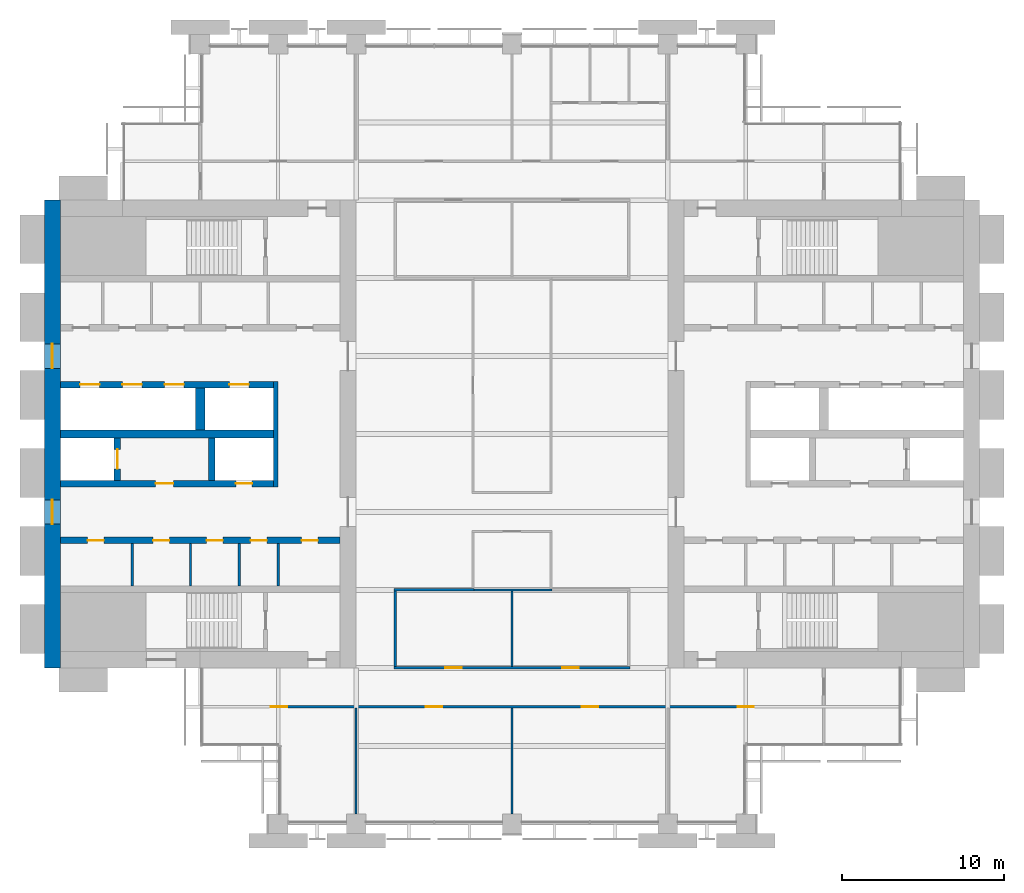
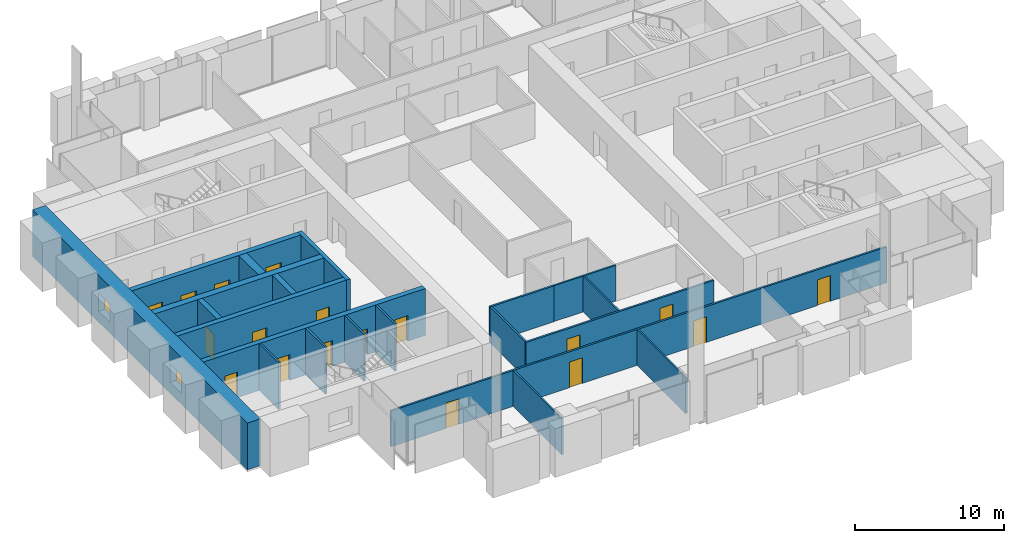
# One storey, part 9 of 14: 21 walls, 18 doors, 2 windows, 20 openings.
"""IFC4 building model written with IfcOpenShell, lengths in metres."""

from ifc_helpers import new_model, si_unit, direction, frame, frame_2d, origin, place, context, subcontext, project, spatial, rectangle, extrude, material, layer, layer_set, type_object, element, fill, save


model = new_model("IFC4")

# Units and contexts
model_context = context("Model", 3, precision=1e-05, world=origin(), true_north=direction((0.0, 1.0)))
body_context = subcontext(model_context, "Body", "Model", "MODEL_VIEW")
ifc_project = project(units=[si_unit("LENGTHUNIT", "METRE"), si_unit("AREAUNIT", "SQUARE_METRE"), si_unit("VOLUMEUNIT", "CUBIC_METRE"), si_unit("PLANEANGLEUNIT", "RADIAN"), si_unit("MASSUNIT", "GRAM", prefix="KILO")], contexts=[model_context])

# Site, building, storey
site_placement = place(None, origin())
site = spatial("IfcSite", under=ifc_project, at=site_placement, CompositionType="ELEMENT")
building_placement = place(site_placement, origin())
building = spatial("IfcBuilding", under=site, at=building_placement, Name="Baori Bourse Tower", CompositionType="ELEMENT")
storey_placement = place(building_placement, frame((0.0, 0.0, 108.10009765625)))
storey = spatial("IfcBuildingStorey", under=building, at=storey_placement, Name="L22", CompositionType="ELEMENT", Elevation=108.10009765625)

# Walls
ifc_material_1 = material(Name="Blockwork partition", Category="masonry")
ifc_layer_1 = layer(ifc_material_1, 0.14990234375)
ifc_layer_set_1 = layer_set([ifc_layer_1], Name="Core partition 150")
wall_type_1 = type_object("IfcWallType", Name="Core partition 150", PredefinedType="PARTITIONING", material=ifc_layer_set_1)
for number, where, z_axis, x_axis, name in (
    (1, (5.39990234375, 14.64990234375, 0.0), (0.0, 0.0, 1.0), (0.0, 1.0, 0.0), "Partition wall W10"),
    (2, (9.0, 14.64990234375, 0.0), (0.0, 0.0, 1.0), (0.0, 1.0, 0.0), "Partition wall W11"),
    (3, (12.0, 14.64990234375, 0.0), (0.0, 0.0, 1.0), (0.0, 1.0, 0.0), "Partition wall W12"),
    (4, (14.39990234375, 14.64990234375, 0.0), (0.0, 0.0, 1.0), (0.0, 1.0, 0.0), "Partition wall W13"),
):
    element("IfcWall", number, at=place(storey_placement, frame(where, z_axis=z_axis, x_axis=x_axis)), inside=storey, type_object=wall_type_1, Name=name, PredefinedType="PARTITIONING", context=body_context, shape_type="SweptSolid", body=[
        extrude(rectangle(XDim=2.60009765625, YDim=0.14990234375, at=frame_2d((1.300048828125, 0.0))), origin(), (0.0, 0.0, 1.0), 3.83984375),
    ])

# Wall, openings, windows
ifc_material_2 = material(Name="Concrete f'c 60 MPa", Category="concrete")
ifc_layer_2 = layer(ifc_material_2, 1.0)
ifc_layer_set_2 = layer_set([ifc_layer_2], Name="Core wall 1000 f'c 60")
wall_type_2 = type_object("IfcWallType", Name="Core wall 1000 f'c 60", PredefinedType="SHEAR", material=ifc_layer_set_2)
wall_1_placement = place(storey_placement, frame((0.5, 9.60009765625, 0.0), z_axis=(0.0, 0.0, 1.0), x_axis=(0.0, 1.0, 0.0)))
wall_1 = element("IfcWall", 5, at=wall_1_placement, inside=storey, type_object=wall_type_2, Name="Core wall W01", PredefinedType="SHEAR", context=body_context, shape_type="SweptSolid", body=[
    extrude(rectangle(XDim=28.7998046875, YDim=1.0, at=frame_2d((14.39990234375, 0.0))), origin(), (0.0, 0.0, 1.0), 3.83984375),
])
opening_1_placement = place(wall_1_placement, frame((8.85009765625, 0.0, 0.89990234375)))
opening_1 = element("IfcOpeningElement", 6, at=opening_1_placement, cuts=wall_1, Name="Opening L22-KW101", PredefinedType="OPENING", context=body_context, shape_type="SweptSolid", body=[
    extrude(rectangle(XDim=1.5, YDim=1.5, at=frame_2d((0.75, 0.75))), frame((0.0, 0.510009765625, 0.0), z_axis=(0.0, -1.0, 0.0), x_axis=(1.0, 0.0, 0.0)), (0.0, 0.0, 1.0), 1.02001953125),
])
opening_2_placement = place(wall_1_placement, frame((18.449951171875, 0.0, 0.89990234375)))
opening_2 = element("IfcOpeningElement", 7, at=opening_2_placement, cuts=wall_1, Name="Opening L22-KW102", PredefinedType="OPENING", context=body_context, shape_type="SweptSolid", body=[
    extrude(rectangle(XDim=1.5, YDim=1.5, at=frame_2d((0.75, 0.75))), frame((0.0, 0.510009765625, 0.0), z_axis=(0.0, -1.0, 0.0), x_axis=(1.0, 0.0, 0.0)), (0.0, 0.0, 1.0), 1.02001953125),
])
ifc_material_3 = material(Name="Pale anodised aluminium", Category="aluminium")
window_type = type_object("IfcWindowType", Name="Lobby window 1500 x 1500", PartitioningType="SINGLE_PANEL", PredefinedType="WINDOW", material=ifc_material_3)
window_1_placement = place(opening_1_placement, origin())
window_1 = element("IfcWindow", 8, at=window_1_placement, inside=storey, type_object=window_type, Name="Outer wall window W L22 1", OverallHeight=1.5, OverallWidth=1.5, PartitioningType="SINGLE_PANEL", PredefinedType="WINDOW", context=body_context, shape_type="SweptSolid", body=[
    extrude(rectangle(XDim=1.5, YDim=1.5, at=frame_2d((0.75, 0.75))), frame((0.0, 0.030029296875, 0.0), z_axis=(0.0, -1.0, 0.0), x_axis=(1.0, 0.0, 0.0)), (0.0, 0.0, 1.0), 0.06005859375),
])
fill(opening_1, window_1)
window_2_placement = place(opening_2_placement, origin())
window_2 = element("IfcWindow", 9, at=window_2_placement, inside=storey, type_object=window_type, Name="Outer wall window W L22 2", OverallHeight=1.5, OverallWidth=1.5, PartitioningType="SINGLE_PANEL", PredefinedType="WINDOW", context=body_context, shape_type="SweptSolid", body=[
    extrude(rectangle(XDim=1.5, YDim=1.5, at=frame_2d((0.75, 0.75))), frame((0.0, 0.030029296875, 0.0), z_axis=(0.0, -1.0, 0.0), x_axis=(1.0, 0.0, 0.0)), (0.0, 0.0, 1.0), 0.06005859375),
])
fill(opening_2, window_2)

# Wall, openings, doors
ifc_material_4 = material(Name="Gypsum board partition")
ifc_layer_3 = layer(ifc_material_4, 0.14990234375)
ifc_layer_set_3 = layer_set([ifc_layer_3], Name="Corridor partition 150")
wall_type_3 = type_object("IfcWallType", Name="Corridor partition 150", PredefinedType="PARTITIONING", material=ifc_layer_set_3)
wall_2_placement = place(storey_placement, frame((9.699951171875, 7.199951171875, 0.0), z_axis=(0.0, 0.0, 1.0), x_axis=(1.0, 0.0, 0.0)))
wall_2 = element("IfcWall", 10, at=wall_2_placement, inside=storey, type_object=wall_type_3, Name="Partition", PredefinedType="PARTITIONING", context=body_context, shape_type="SweptSolid", body=[
    extrude(rectangle(XDim=38.375, YDim=0.14990234375, at=frame_2d((19.1875, 0.0))), origin(), (0.0, 0.0, 1.0), 2.935546875),
])
opening_3_placement = place(wall_2_placement, frame((4.25, 0.0, 0.0)))
opening_3 = element("IfcOpeningElement", 11, at=opening_3_placement, cuts=wall_2, Name="Opening L22-D01", PredefinedType="OPENING", context=body_context, shape_type="SweptSolid", body=[
    extrude(rectangle(XDim=1.0, YDim=2.10009765625, at=frame_2d((0.5, 1.050048828125))), frame((0.0, 0.0849609375, 0.0), z_axis=(0.0, -1.0, 0.0), x_axis=(1.0, 0.0, 0.0)), (0.0, 0.0, 1.0), 0.169921875),
])
opening_4_placement = place(wall_2_placement, frame((13.800048828125, 0.0, 0.0)))
opening_4 = element("IfcOpeningElement", 12, at=opening_4_placement, cuts=wall_2, Name="Opening L22-D02", PredefinedType="OPENING", context=body_context, shape_type="SweptSolid", body=[
    extrude(rectangle(XDim=1.0, YDim=2.10009765625, at=frame_2d((0.5, 1.050048828125))), frame((0.0, 0.0849609375, 0.0), z_axis=(0.0, -1.0, 0.0), x_axis=(1.0, 0.0, 0.0)), (0.0, 0.0, 1.0), 0.169921875),
])
opening_5_placement = place(wall_2_placement, frame((23.39990234375, 0.0, 0.0)))
opening_5 = element("IfcOpeningElement", 13, at=opening_5_placement, cuts=wall_2, Name="Opening L22-D03", PredefinedType="OPENING", context=body_context, shape_type="SweptSolid", body=[
    extrude(rectangle(XDim=1.0, YDim=2.10009765625, at=frame_2d((0.5, 1.050048828125))), frame((0.0, 0.0849609375, 0.0), z_axis=(0.0, -1.0, 0.0), x_axis=(1.0, 0.0, 0.0)), (0.0, 0.0, 1.0), 0.169921875),
])
opening_6_placement = place(wall_2_placement, frame((33.0, 0.0, 0.0)))
opening_6 = element("IfcOpeningElement", 14, at=opening_6_placement, cuts=wall_2, Name="Opening L22-D04", PredefinedType="OPENING", context=body_context, shape_type="SweptSolid", body=[
    extrude(rectangle(XDim=1.0, YDim=2.10009765625, at=frame_2d((0.5, 1.050048828125))), frame((0.0, 0.0849609375, 0.0), z_axis=(0.0, -1.0, 0.0), x_axis=(1.0, 0.0, 0.0)), (0.0, 0.0, 1.0), 0.169921875),
])
ifc_material_5 = material(Name="Timber door leaf", Category="wood")
door_type_1 = type_object("IfcDoorType", Name="Door 1000 x 2100", OperationType="SINGLE_SWING_LEFT", PredefinedType="DOOR", material=ifc_material_5)
door_1_placement = place(opening_3_placement, origin())
door_1 = element("IfcDoor", 15, at=door_1_placement, inside=storey, type_object=door_type_1, Name="Door", OperationType="SINGLE_SWING_LEFT", OverallHeight=2.10009765625, OverallWidth=1.0, PredefinedType="DOOR", context=body_context, shape_type="SweptSolid", body=[
    extrude(rectangle(XDim=1.0, YDim=2.10009765625, at=frame_2d((0.5, 1.050048828125))), frame((0.0, 0.02490234375, 0.0), z_axis=(0.0, -1.0, 0.0), x_axis=(1.0, 0.0, 0.0)), (0.0, 0.0, 1.0), 0.050048828125),
])
fill(opening_3, door_1)
door_2_placement = place(opening_4_placement, origin())
door_2 = element("IfcDoor", 16, at=door_2_placement, inside=storey, type_object=door_type_1, Name="Door", OperationType="SINGLE_SWING_LEFT", OverallHeight=2.10009765625, OverallWidth=1.0, PredefinedType="DOOR", context=body_context, shape_type="SweptSolid", body=[
    extrude(rectangle(XDim=1.0, YDim=2.10009765625, at=frame_2d((0.5, 1.050048828125))), frame((0.0, 0.02490234375, 0.0), z_axis=(0.0, -1.0, 0.0), x_axis=(1.0, 0.0, 0.0)), (0.0, 0.0, 1.0), 0.050048828125),
])
fill(opening_4, door_2)
door_3_placement = place(opening_5_placement, origin())
door_3 = element("IfcDoor", 17, at=door_3_placement, inside=storey, type_object=door_type_1, Name="Door", OperationType="SINGLE_SWING_RIGHT", OverallHeight=2.10009765625, OverallWidth=1.0, PredefinedType="DOOR", context=body_context, shape_type="SweptSolid", body=[
    extrude(rectangle(XDim=1.0, YDim=2.10009765625, at=frame_2d((0.5, 1.050048828125))), frame((0.0, 0.02490234375, 0.0), z_axis=(0.0, -1.0, 0.0), x_axis=(1.0, 0.0, 0.0)), (0.0, 0.0, 1.0), 0.050048828125),
])
fill(opening_5, door_3)
door_4_placement = place(opening_6_placement, origin())
door_4 = element("IfcDoor", 18, at=door_4_placement, inside=storey, type_object=door_type_1, Name="Door", OperationType="SINGLE_SWING_RIGHT", OverallHeight=2.10009765625, OverallWidth=1.0, PredefinedType="DOOR", context=body_context, shape_type="SweptSolid", body=[
    extrude(rectangle(XDim=1.0, YDim=2.10009765625, at=frame_2d((0.5, 1.050048828125))), frame((0.0, 0.02490234375, 0.0), z_axis=(0.0, -1.0, 0.0), x_axis=(1.0, 0.0, 0.0)), (0.0, 0.0, 1.0), 0.050048828125),
])
fill(opening_6, door_4)

wall_3_placement = place(storey_placement, frame((21.52490234375, 9.60009765625, 0.0), z_axis=(0.0, 0.0, 1.0), x_axis=(1.0, 0.0, 0.0)))
wall_3 = element("IfcWall", 19, at=wall_3_placement, inside=storey, type_object=wall_type_3, Name="Partition", PredefinedType="PARTITIONING", context=body_context, shape_type="SweptSolid", body=[
    extrude(rectangle(XDim=14.550048828125, YDim=0.14990234375, at=frame_2d((7.27490234375, 0.0))), origin(), (0.0, 0.0, 1.0), 2.935546875),
])
opening_7_placement = place(wall_3_placement, frame((3.175048828125, 0.0, 0.0)))
opening_7 = element("IfcOpeningElement", 20, at=opening_7_placement, cuts=wall_3, Name="Opening L22-D05", PredefinedType="OPENING", context=body_context, shape_type="SweptSolid", body=[
    extrude(rectangle(XDim=1.0, YDim=2.10009765625, at=frame_2d((0.5, 1.050048828125))), frame((0.0, 0.0849609375, 0.0), z_axis=(0.0, -1.0, 0.0), x_axis=(1.0, 0.0, 0.0)), (0.0, 0.0, 1.0), 0.169921875),
])
opening_8_placement = place(wall_3_placement, frame((10.375, 0.0, 0.0)))
opening_8 = element("IfcOpeningElement", 21, at=opening_8_placement, cuts=wall_3, Name="Opening L22-D06", PredefinedType="OPENING", context=body_context, shape_type="SweptSolid", body=[
    extrude(rectangle(XDim=1.0, YDim=2.10009765625, at=frame_2d((0.5, 1.050048828125))), frame((0.0, 0.0849609375, 0.0), z_axis=(0.0, -1.0, 0.0), x_axis=(1.0, 0.0, 0.0)), (0.0, 0.0, 1.0), 0.169921875),
])
door_5_placement = place(opening_7_placement, origin())
door_5 = element("IfcDoor", 22, at=door_5_placement, inside=storey, type_object=door_type_1, Name="Door", OperationType="SINGLE_SWING_RIGHT", OverallHeight=2.10009765625, OverallWidth=1.0, PredefinedType="DOOR", context=body_context, shape_type="SweptSolid", body=[
    extrude(rectangle(XDim=1.0, YDim=2.10009765625, at=frame_2d((0.5, 1.050048828125))), frame((0.0, 0.02490234375, 0.0), z_axis=(0.0, -1.0, 0.0), x_axis=(1.0, 0.0, 0.0)), (0.0, 0.0, 1.0), 0.050048828125),
])
fill(opening_7, door_5)
door_6_placement = place(opening_8_placement, origin())
door_6 = element("IfcDoor", 23, at=door_6_placement, inside=storey, type_object=door_type_1, Name="Door", OperationType="SINGLE_SWING_LEFT", OverallHeight=2.10009765625, OverallWidth=1.0, PredefinedType="DOOR", context=body_context, shape_type="SweptSolid", body=[
    extrude(rectangle(XDim=1.0, YDim=2.10009765625, at=frame_2d((0.5, 1.050048828125))), frame((0.0, 0.02490234375, 0.0), z_axis=(0.0, -1.0, 0.0), x_axis=(1.0, 0.0, 0.0)), (0.0, 0.0, 1.0), 0.050048828125),
])
fill(opening_8, door_6)

# Walls
wall_4_placement = place(storey_placement, frame((21.52490234375, 14.39990234375, 0.0), z_axis=(0.0, 0.0, 1.0), x_axis=(1.0, 0.0, 0.0)))
element("IfcWall", 24, at=wall_4_placement, inside=storey, type_object=wall_type_3, Name="Partition", PredefinedType="PARTITIONING", context=body_context, shape_type="SweptSolid", body=[
    extrude(rectangle(XDim=4.9501953125, YDim=0.14990234375, at=frame_2d((2.47509765625, 0.0))), origin(), (0.0, 0.0, 1.0), 2.935546875),
])
wall_5_placement = place(storey_placement, frame((21.60009765625, 9.675048828125, 0.0), z_axis=(0.0, 0.0, 1.0), x_axis=(0.0, 1.0, 0.0)))
element("IfcWall", 25, at=wall_5_placement, inside=storey, type_object=wall_type_3, Name="Partition", PredefinedType="PARTITIONING", context=body_context, shape_type="SweptSolid", body=[
    extrude(rectangle(XDim=4.64990234375, YDim=0.14990234375, at=frame_2d((2.324951171875, 0.0))), origin(), (0.0, 0.0, 1.0), 2.935546875),
])
ifc_material_6 = material(Name="Gypsum board partition")
ifc_layer_4 = layer(ifc_material_6, 0.125)
ifc_layer_set_4 = layer_set([ifc_layer_4], Name="Partition 125")
wall_type_4 = type_object("IfcWallType", Name="Partition 125", PredefinedType="PARTITIONING", material=ifc_layer_set_4)
wall_6_placement = place(storey_placement, frame((26.47509765625, 14.39990234375, 0.0), z_axis=(0.0, 0.0, 1.0), x_axis=(1.0, 0.0, 0.0)))
element("IfcWall", 26, at=wall_6_placement, inside=storey, type_object=wall_type_4, Name="Partition", PredefinedType="PARTITIONING", context=body_context, shape_type="SweptSolid", body=[
    extrude(rectangle(XDim=4.7998046875, YDim=0.125, at=frame_2d((2.39990234375, 0.0))), origin(), (0.0, 0.0, 1.0), 2.935546875),
])
for number, where, z_axis, x_axis, name in (
    (27, (19.199951171875, 0.60009765625, 0.0), (0.0, 0.0, 1.0), (0.0, 1.0, 0.0), "Partition"),
    (28, (28.800048828125, 0.60009765625, 0.0), (0.0, 0.0, 1.0), (0.0, 1.0, 0.0), "Partition"),
):
    element("IfcWall", number, at=place(storey_placement, frame(where, z_axis=z_axis, x_axis=x_axis)), inside=storey, type_object=wall_type_4, Name=name, PredefinedType="PARTITIONING", context=body_context, shape_type="SweptSolid", body=[
        extrude(rectangle(XDim=6.52490234375, YDim=0.125, at=frame_2d((3.262451171875, 0.0))), origin(), (0.0, 0.0, 1.0), 2.935546875),
    ])
wall_7_placement = place(storey_placement, frame((28.800048828125, 9.675048828125, 0.0), z_axis=(0.0, 0.0, 1.0), x_axis=(0.0, 1.0, 0.0)))
element("IfcWall", 29, at=wall_7_placement, inside=storey, type_object=wall_type_4, Name="Partition", PredefinedType="PARTITIONING", context=body_context, shape_type="SweptSolid", body=[
    extrude(rectangle(XDim=4.662353515625, YDim=0.125, at=frame_2d((2.3310546875, 0.0))), origin(), (0.0, 0.0, 1.0), 2.935546875),
])
ifc_material_7 = material(Name="Concrete f'c 60 MPa", Category="concrete")
ifc_layer_5 = layer(ifc_material_7, 0.300048828125)
ifc_layer_set_5 = layer_set([ifc_layer_5], Name="Shaft wall 300 f'c 60")
wall_type_5 = type_object("IfcWallType", Name="Shaft wall 300 f'c 60", PredefinedType="SHEAR", material=ifc_layer_set_5)
wall_8_placement = place(storey_placement, frame((14.25, 20.75, 0.0), z_axis=(0.0, 0.0, 1.0), x_axis=(0.0, 1.0, 0.0)))
element("IfcWall", 30, at=wall_8_placement, inside=storey, type_object=wall_type_5, Name="Core wall W16", PredefinedType="SHEAR", context=body_context, shape_type="SweptSolid", body=[
    extrude(rectangle(XDim=6.5, YDim=0.300048828125, at=frame_2d((3.25, 0.0))), origin(), (0.0, 0.0, 1.0), 3.83984375),
])

# Wall, openings, doors
ifc_material_8 = material(Name="Concrete f'c 60 MPa", Category="concrete")
ifc_layer_6 = layer(ifc_material_8, 0.39990234375)
ifc_layer_set_6 = layer_set([ifc_layer_6], Name="Shaft wall 400 f'c 60")
wall_type_6 = type_object("IfcWallType", Name="Shaft wall 400 f'c 60", PredefinedType="SHEAR", material=ifc_layer_set_6)
wall_9_placement = place(storey_placement, frame((1.0, 17.449951171875, 0.0), z_axis=(0.0, 0.0, 1.0), x_axis=(1.0, 0.0, 0.0)))
wall_9 = element("IfcWall", 31, at=wall_9_placement, inside=storey, type_object=wall_type_6, Name="Core wall W14", PredefinedType="SHEAR", context=body_context, shape_type="SweptSolid", body=[
    extrude(rectangle(XDim=17.199951171875, YDim=0.39990234375, at=frame_2d((8.60009765625, 0.0))), origin(), (0.0, 0.0, 1.0), 3.83984375),
])
opening_9_placement = place(wall_9_placement, frame((1.66259765625, 0.0, 0.0)))
opening_9 = element("IfcOpeningElement", 32, at=opening_9_placement, cuts=wall_9, Name="Opening L22-D114", PredefinedType="OPENING", context=body_context, shape_type="SweptSolid", body=[
    extrude(rectangle(XDim=1.0, YDim=2.10009765625, at=frame_2d((0.5, 1.050048828125))), frame((0.0, 0.2099609375, 0.0), z_axis=(0.0, -1.0, 0.0), x_axis=(1.0, 0.0, 0.0)), (0.0, 0.0, 1.0), 0.419921875),
])
opening_10_placement = place(wall_9_placement, frame((5.699951171875, 0.0, 0.0)))
opening_10 = element("IfcOpeningElement", 33, at=opening_10_placement, cuts=wall_9, Name="Opening L22-D115", PredefinedType="OPENING", context=body_context, shape_type="SweptSolid", body=[
    extrude(rectangle(XDim=1.0, YDim=2.10009765625, at=frame_2d((0.5, 1.050048828125))), frame((0.0, 0.2099609375, 0.0), z_axis=(0.0, -1.0, 0.0), x_axis=(1.0, 0.0, 0.0)), (0.0, 0.0, 1.0), 0.419921875),
])
opening_11_placement = place(wall_9_placement, frame((9.0, 0.0, 0.0)))
opening_11 = element("IfcOpeningElement", 34, at=opening_11_placement, cuts=wall_9, Name="Opening L22-D116", PredefinedType="OPENING", context=body_context, shape_type="SweptSolid", body=[
    extrude(rectangle(XDim=1.0, YDim=2.10009765625, at=frame_2d((0.5, 1.050048828125))), frame((0.0, 0.2099609375, 0.0), z_axis=(0.0, -1.0, 0.0), x_axis=(1.0, 0.0, 0.0)), (0.0, 0.0, 1.0), 0.419921875),
])
opening_12_placement = place(wall_9_placement, frame((11.699951171875, 0.0, 0.0)))
opening_12 = element("IfcOpeningElement", 35, at=opening_12_placement, cuts=wall_9, Name="Opening L22-D117", PredefinedType="OPENING", context=body_context, shape_type="SweptSolid", body=[
    extrude(rectangle(XDim=1.0, YDim=2.10009765625, at=frame_2d((0.5, 1.050048828125))), frame((0.0, 0.2099609375, 0.0), z_axis=(0.0, -1.0, 0.0), x_axis=(1.0, 0.0, 0.0)), (0.0, 0.0, 1.0), 0.419921875),
])
opening_13_placement = place(wall_9_placement, frame((14.83740234375, 0.0, 0.0)))
opening_13 = element("IfcOpeningElement", 36, at=opening_13_placement, cuts=wall_9, Name="Opening L22-D118", PredefinedType="OPENING", context=body_context, shape_type="SweptSolid", body=[
    extrude(rectangle(XDim=1.0, YDim=2.10009765625, at=frame_2d((0.5, 1.050048828125))), frame((0.0, 0.2099609375, 0.0), z_axis=(0.0, -1.0, 0.0), x_axis=(1.0, 0.0, 0.0)), (0.0, 0.0, 1.0), 0.419921875),
])
ifc_material_9 = material(Name="Painted steel door", Category="steel")
door_type_2 = type_object("IfcDoorType", Name="Core door 1000", OperationType="SINGLE_SWING_LEFT", PredefinedType="DOOR", material=ifc_material_9)
door_7_placement = place(opening_9_placement, origin())
door_7 = element("IfcDoor", 37, at=door_7_placement, inside=storey, type_object=door_type_2, Name="Men'S Wc door W L22", OperationType="SINGLE_SWING_LEFT", OverallHeight=2.10009765625, OverallWidth=1.0, PredefinedType="DOOR", context=body_context, shape_type="SweptSolid", body=[
    extrude(rectangle(XDim=1.0, YDim=2.10009765625, at=frame_2d((0.5, 1.050048828125))), frame((0.0, 0.02490234375, 0.0), z_axis=(0.0, -1.0, 0.0), x_axis=(1.0, 0.0, 0.0)), (0.0, 0.0, 1.0), 0.050048828125),
])
fill(opening_9, door_7)
door_8_placement = place(opening_10_placement, origin())
door_8 = element("IfcDoor", 38, at=door_8_placement, inside=storey, type_object=door_type_2, Name="Women'S Wc door W L22", OperationType="SINGLE_SWING_LEFT", OverallHeight=2.10009765625, OverallWidth=1.0, PredefinedType="DOOR", context=body_context, shape_type="SweptSolid", body=[
    extrude(rectangle(XDim=1.0, YDim=2.10009765625, at=frame_2d((0.5, 1.050048828125))), frame((0.0, 0.02490234375, 0.0), z_axis=(0.0, -1.0, 0.0), x_axis=(1.0, 0.0, 0.0)), (0.0, 0.0, 1.0), 0.050048828125),
])
fill(opening_10, door_8)
door_9_placement = place(opening_11_placement, origin())
door_9 = element("IfcDoor", 39, at=door_9_placement, inside=storey, type_object=door_type_2, Name="Store Room door W L22", OperationType="SINGLE_SWING_LEFT", OverallHeight=2.10009765625, OverallWidth=1.0, PredefinedType="DOOR", context=body_context, shape_type="SweptSolid", body=[
    extrude(rectangle(XDim=1.0, YDim=2.10009765625, at=frame_2d((0.5, 1.050048828125))), frame((0.0, 0.02490234375, 0.0), z_axis=(0.0, -1.0, 0.0), x_axis=(1.0, 0.0, 0.0)), (0.0, 0.0, 1.0), 0.050048828125),
])
fill(opening_11, door_9)
door_10_placement = place(opening_12_placement, origin())
door_10 = element("IfcDoor", 40, at=door_10_placement, inside=storey, type_object=door_type_2, Name="Janitor'S Closet door W L22", OperationType="SINGLE_SWING_LEFT", OverallHeight=2.10009765625, OverallWidth=1.0, PredefinedType="DOOR", context=body_context, shape_type="SweptSolid", body=[
    extrude(rectangle(XDim=1.0, YDim=2.10009765625, at=frame_2d((0.5, 1.050048828125))), frame((0.0, 0.02490234375, 0.0), z_axis=(0.0, -1.0, 0.0), x_axis=(1.0, 0.0, 0.0)), (0.0, 0.0, 1.0), 0.050048828125),
])
fill(opening_12, door_10)
door_11_placement = place(opening_13_placement, origin())
door_11 = element("IfcDoor", 41, at=door_11_placement, inside=storey, type_object=door_type_2, Name="Accessible Wc door W L22", OperationType="SINGLE_SWING_LEFT", OverallHeight=2.10009765625, OverallWidth=1.0, PredefinedType="DOOR", context=body_context, shape_type="SweptSolid", body=[
    extrude(rectangle(XDim=1.0, YDim=2.10009765625, at=frame_2d((0.5, 1.050048828125))), frame((0.0, 0.02490234375, 0.0), z_axis=(0.0, -1.0, 0.0), x_axis=(1.0, 0.0, 0.0)), (0.0, 0.0, 1.0), 0.050048828125),
])
fill(opening_13, door_11)

wall_10_placement = place(storey_placement, frame((1.0, 20.949951171875, 0.0), z_axis=(0.0, 0.0, 1.0), x_axis=(1.0, 0.0, 0.0)))
wall_10 = element("IfcWall", 42, at=wall_10_placement, inside=storey, type_object=wall_type_6, Name="Core wall W15", PredefinedType="SHEAR", context=body_context, shape_type="SweptSolid", body=[
    extrude(rectangle(XDim=13.10009765625, YDim=0.39990234375, at=frame_2d((6.550048828125, 0.0))), origin(), (0.0, 0.0, 1.0), 3.83984375),
])
opening_14_placement = place(wall_10_placement, frame((5.85009765625, 0.0, 0.0)))
opening_14 = element("IfcOpeningElement", 43, at=opening_14_placement, cuts=wall_10, Name="Opening L22-D105", PredefinedType="OPENING", context=body_context, shape_type="SweptSolid", body=[
    extrude(rectangle(XDim=1.10009765625, YDim=2.10009765625, at=frame_2d((0.550048828125, 1.050048828125))), frame((0.0, 0.2099609375, 0.0), z_axis=(0.0, -1.0, 0.0), x_axis=(1.0, 0.0, 0.0)), (0.0, 0.0, 1.0), 0.419921875),
])
opening_15_placement = place(wall_10_placement, frame((10.800048828125, 0.0, 0.0)))
opening_15 = element("IfcOpeningElement", 44, at=opening_15_placement, cuts=wall_10, Name="Opening L22-D106", PredefinedType="OPENING", context=body_context, shape_type="SweptSolid", body=[
    extrude(rectangle(XDim=1.0, YDim=2.10009765625, at=frame_2d((0.5, 1.050048828125))), frame((0.0, 0.2099609375, 0.0), z_axis=(0.0, -1.0, 0.0), x_axis=(1.0, 0.0, 0.0)), (0.0, 0.0, 1.0), 0.419921875),
])
ifc_material_10 = material(Name="Painted steel door", Category="steel")
door_type_3 = type_object("IfcDoorType", Name="Lobby door 1100", OperationType="SINGLE_SWING_LEFT", PredefinedType="DOOR", material=ifc_material_10)
door_12_placement = place(opening_14_placement, origin())
door_12 = element("IfcDoor", 45, at=door_12_placement, inside=storey, type_object=door_type_3, Name="Firefighting lobby door W L22", OperationType="SINGLE_SWING_LEFT", OverallHeight=2.10009765625, OverallWidth=1.10009765625, PredefinedType="DOOR", context=body_context, shape_type="SweptSolid", body=[
    extrude(rectangle(XDim=1.10009765625, YDim=2.10009765625, at=frame_2d((0.550048828125, 1.050048828125))), frame((0.0, 0.02490234375, 0.0), z_axis=(0.0, -1.0, 0.0), x_axis=(1.0, 0.0, 0.0)), (0.0, 0.0, 1.0), 0.050048828125),
])
fill(opening_14, door_12)
ifc_material_11 = material(Name="Painted steel door", Category="steel")
door_type_4 = type_object("IfcDoorType", Name="Shaft door 1000", OperationType="SINGLE_SWING_LEFT", PredefinedType="DOOR", material=ifc_material_11)
door_13_placement = place(opening_15_placement, origin())
door_13 = element("IfcDoor", 46, at=door_13_placement, inside=storey, type_object=door_type_4, Name="Riser room door W L22", OperationType="SINGLE_SWING_LEFT", OverallHeight=2.10009765625, OverallWidth=1.0, PredefinedType="DOOR", context=body_context, shape_type="SweptSolid", body=[
    extrude(rectangle(XDim=1.0, YDim=2.10009765625, at=frame_2d((0.5, 1.050048828125))), frame((0.0, 0.02490234375, 0.0), z_axis=(0.0, -1.0, 0.0), x_axis=(1.0, 0.0, 0.0)), (0.0, 0.0, 1.0), 0.050048828125),
])
fill(opening_15, door_13)

# Wall, opening, door
wall_11_placement = place(storey_placement, frame((4.5, 21.14990234375, 0.0), z_axis=(0.0, 0.0, 1.0), x_axis=(0.0, 1.0, 0.0)))
wall_11 = element("IfcWall", 47, at=wall_11_placement, inside=storey, type_object=wall_type_6, Name="Core wall W17", PredefinedType="SHEAR", context=body_context, shape_type="SweptSolid", body=[
    extrude(rectangle(XDim=2.60009765625, YDim=0.39990234375, at=frame_2d((1.300048828125, 0.0))), origin(), (0.0, 0.0, 1.0), 3.83984375),
])
opening_16_placement = place(wall_11_placement, frame((0.699951171875, 0.0, 0.0)))
opening_16 = element("IfcOpeningElement", 48, at=opening_16_placement, cuts=wall_11, Name="Opening L22-D123", PredefinedType="OPENING", context=body_context, shape_type="SweptSolid", body=[
    extrude(rectangle(XDim=1.199951171875, YDim=2.10009765625, at=frame_2d((0.60009765625, 1.050048828125))), frame((0.0, 0.2099609375, 0.0), z_axis=(0.0, -1.0, 0.0), x_axis=(1.0, 0.0, 0.0)), (0.0, 0.0, 1.0), 0.419921875),
])
ifc_material_12 = material(Name="Stainless steel door", Category="steel")
door_type_5 = type_object("IfcDoorType", Name="Lift landing door", OperationType="DOUBLE_DOOR_SLIDING", PredefinedType="DOOR", material=ifc_material_12)
door_14_placement = place(opening_16_placement, origin())
door_14 = element("IfcDoor", 49, at=door_14_placement, inside=storey, type_object=door_type_5, Name="Lift landing door FF1 W L22", OperationType="DOUBLE_DOOR_SLIDING", OverallHeight=2.10009765625, OverallWidth=1.199951171875, PredefinedType="DOOR", context=body_context, shape_type="SweptSolid", body=[
    extrude(rectangle(XDim=1.199951171875, YDim=2.10009765625, at=frame_2d((0.60009765625, 1.050048828125))), frame((0.0, 0.02490234375, 0.0), z_axis=(0.0, -1.0, 0.0), x_axis=(1.0, 0.0, 0.0)), (0.0, 0.0, 1.0), 0.050048828125),
])
fill(opening_16, door_14)

# Wall
wall_12_placement = place(storey_placement, frame((10.300048828125, 21.14990234375, 0.0), z_axis=(0.0, 0.0, 1.0), x_axis=(0.0, 1.0, 0.0)))
element("IfcWall", 50, at=wall_12_placement, inside=storey, type_object=wall_type_6, Name="Core wall W18", PredefinedType="SHEAR", context=body_context, shape_type="SweptSolid", body=[
    extrude(rectangle(XDim=2.60009765625, YDim=0.39990234375, at=frame_2d((1.300048828125, 0.0))), origin(), (0.0, 0.0, 1.0), 3.83984375),
])

# Wall, openings, doors
wall_13_placement = place(storey_placement, frame((1.0, 27.050048828125, 0.0), z_axis=(0.0, 0.0, 1.0), x_axis=(1.0, 0.0, 0.0)))
wall_13 = element("IfcWall", 51, at=wall_13_placement, inside=storey, type_object=wall_type_6, Name="Core wall W21", PredefinedType="SHEAR", context=body_context, shape_type="SweptSolid", body=[
    extrude(rectangle(XDim=13.10009765625, YDim=0.39990234375, at=frame_2d((6.550048828125, 0.0))), origin(), (0.0, 0.0, 1.0), 3.83984375),
])
opening_17_placement = place(wall_13_placement, frame((1.199951171875, 0.0, 0.0)))
opening_17 = element("IfcOpeningElement", 52, at=opening_17_placement, cuts=wall_13, Name="Opening L22-D119", PredefinedType="OPENING", context=body_context, shape_type="SweptSolid", body=[
    extrude(rectangle(XDim=1.199951171875, YDim=2.10009765625, at=frame_2d((0.60009765625, 1.050048828125))), frame((0.0, 0.2099609375, 0.0), z_axis=(0.0, -1.0, 0.0), x_axis=(1.0, 0.0, 0.0)), (0.0, 0.0, 1.0), 0.419921875),
])
opening_18_placement = place(wall_13_placement, frame((3.800048828125, 0.0, 0.0)))
opening_18 = element("IfcOpeningElement", 53, at=opening_18_placement, cuts=wall_13, Name="Opening L22-D120", PredefinedType="OPENING", context=body_context, shape_type="SweptSolid", body=[
    extrude(rectangle(XDim=1.199951171875, YDim=2.10009765625, at=frame_2d((0.60009765625, 1.050048828125))), frame((0.0, 0.2099609375, 0.0), z_axis=(0.0, -1.0, 0.0), x_axis=(1.0, 0.0, 0.0)), (0.0, 0.0, 1.0), 0.419921875),
])
opening_19_placement = place(wall_13_placement, frame((6.39990234375, 0.0, 0.0)))
opening_19 = element("IfcOpeningElement", 54, at=opening_19_placement, cuts=wall_13, Name="Opening L22-D121", PredefinedType="OPENING", context=body_context, shape_type="SweptSolid", body=[
    extrude(rectangle(XDim=1.199951171875, YDim=2.10009765625, at=frame_2d((0.60009765625, 1.050048828125))), frame((0.0, 0.2099609375, 0.0), z_axis=(0.0, -1.0, 0.0), x_axis=(1.0, 0.0, 0.0)), (0.0, 0.0, 1.0), 0.419921875),
])
opening_20_placement = place(wall_13_placement, frame((10.39990234375, 0.0, 0.0)))
opening_20 = element("IfcOpeningElement", 55, at=opening_20_placement, cuts=wall_13, Name="Opening L22-D122", PredefinedType="OPENING", context=body_context, shape_type="SweptSolid", body=[
    extrude(rectangle(XDim=1.199951171875, YDim=2.10009765625, at=frame_2d((0.60009765625, 1.050048828125))), frame((0.0, 0.2099609375, 0.0), z_axis=(0.0, -1.0, 0.0), x_axis=(1.0, 0.0, 0.0)), (0.0, 0.0, 1.0), 0.419921875),
])
door_15_placement = place(opening_17_placement, origin())
door_15 = element("IfcDoor", 56, at=door_15_placement, inside=storey, type_object=door_type_5, Name="Lift landing door SH1 W L22", OperationType="DOUBLE_DOOR_SLIDING", OverallHeight=2.10009765625, OverallWidth=1.199951171875, PredefinedType="DOOR", context=body_context, shape_type="SweptSolid", body=[
    extrude(rectangle(XDim=1.199951171875, YDim=2.10009765625, at=frame_2d((0.60009765625, 1.050048828125))), frame((0.0, 0.02490234375, 0.0), z_axis=(0.0, -1.0, 0.0), x_axis=(1.0, 0.0, 0.0)), (0.0, 0.0, 1.0), 0.050048828125),
])
fill(opening_17, door_15)
door_16_placement = place(opening_18_placement, origin())
door_16 = element("IfcDoor", 57, at=door_16_placement, inside=storey, type_object=door_type_5, Name="Lift landing door SH2 W L22", OperationType="DOUBLE_DOOR_SLIDING", OverallHeight=2.10009765625, OverallWidth=1.199951171875, PredefinedType="DOOR", context=body_context, shape_type="SweptSolid", body=[
    extrude(rectangle(XDim=1.199951171875, YDim=2.10009765625, at=frame_2d((0.60009765625, 1.050048828125))), frame((0.0, 0.02490234375, 0.0), z_axis=(0.0, -1.0, 0.0), x_axis=(1.0, 0.0, 0.0)), (0.0, 0.0, 1.0), 0.050048828125),
])
fill(opening_18, door_16)
door_17_placement = place(opening_19_placement, origin())
door_17 = element("IfcDoor", 58, at=door_17_placement, inside=storey, type_object=door_type_5, Name="Lift landing door SH3 W L22", OperationType="DOUBLE_DOOR_SLIDING", OverallHeight=2.10009765625, OverallWidth=1.199951171875, PredefinedType="DOOR", context=body_context, shape_type="SweptSolid", body=[
    extrude(rectangle(XDim=1.199951171875, YDim=2.10009765625, at=frame_2d((0.60009765625, 1.050048828125))), frame((0.0, 0.02490234375, 0.0), z_axis=(0.0, -1.0, 0.0), x_axis=(1.0, 0.0, 0.0)), (0.0, 0.0, 1.0), 0.050048828125),
])
fill(opening_19, door_17)
door_18_placement = place(opening_20_placement, origin())
door_18 = element("IfcDoor", 59, at=door_18_placement, inside=storey, type_object=door_type_5, Name="Lift landing door SV1 W L22", OperationType="DOUBLE_DOOR_SLIDING", OverallHeight=2.10009765625, OverallWidth=1.199951171875, PredefinedType="DOOR", context=body_context, shape_type="SweptSolid", body=[
    extrude(rectangle(XDim=1.199951171875, YDim=2.10009765625, at=frame_2d((0.60009765625, 1.050048828125))), frame((0.0, 0.02490234375, 0.0), z_axis=(0.0, -1.0, 0.0), x_axis=(1.0, 0.0, 0.0)), (0.0, 0.0, 1.0), 0.050048828125),
])
fill(opening_20, door_18)

# Walls
ifc_material_13 = material(Name="Concrete f'c 60 MPa", Category="concrete")
ifc_layer_7 = layer(ifc_material_13, 0.5)
ifc_layer_set_7 = layer_set([ifc_layer_7], Name="Shaft wall 500 f'c 60")
wall_type_7 = type_object("IfcWallType", Name="Shaft wall 500 f'c 60", PredefinedType="SHEAR", material=ifc_layer_set_7)
wall_14_placement = place(storey_placement, frame((1.0, 24.0, 0.0), z_axis=(0.0, 0.0, 1.0), x_axis=(1.0, 0.0, 0.0)))
element("IfcWall", 60, at=wall_14_placement, inside=storey, type_object=wall_type_7, Name="Core wall W19", PredefinedType="SHEAR", context=body_context, shape_type="SweptSolid", body=[
    extrude(rectangle(XDim=13.10009765625, YDim=0.5, at=frame_2d((6.550048828125, 0.0))), origin(), (0.0, 0.0, 1.0), 3.83984375),
])
ifc_material_14 = material(Name="Concrete f'c 60 MPa", Category="concrete")
ifc_layer_8 = layer(ifc_material_14, 0.60009765625)
ifc_layer_set_8 = layer_set([ifc_layer_8], Name="Shaft wall 600 f'c 60")
wall_type_8 = type_object("IfcWallType", Name="Shaft wall 600 f'c 60", PredefinedType="SHEAR", material=ifc_layer_set_8)
wall_15_placement = place(storey_placement, frame((9.60009765625, 24.25, 0.0), z_axis=(0.0, 0.0, 1.0), x_axis=(0.0, 1.0, 0.0)))
element("IfcWall", 61, at=wall_15_placement, inside=storey, type_object=wall_type_8, Name="Core wall W20", PredefinedType="SHEAR", context=body_context, shape_type="SweptSolid", body=[
    extrude(rectangle(XDim=2.60009765625, YDim=0.60009765625, at=frame_2d((1.300048828125, 0.0))), origin(), (0.0, 0.0, 1.0), 3.83984375),
])

save(model, "model.ifc")
